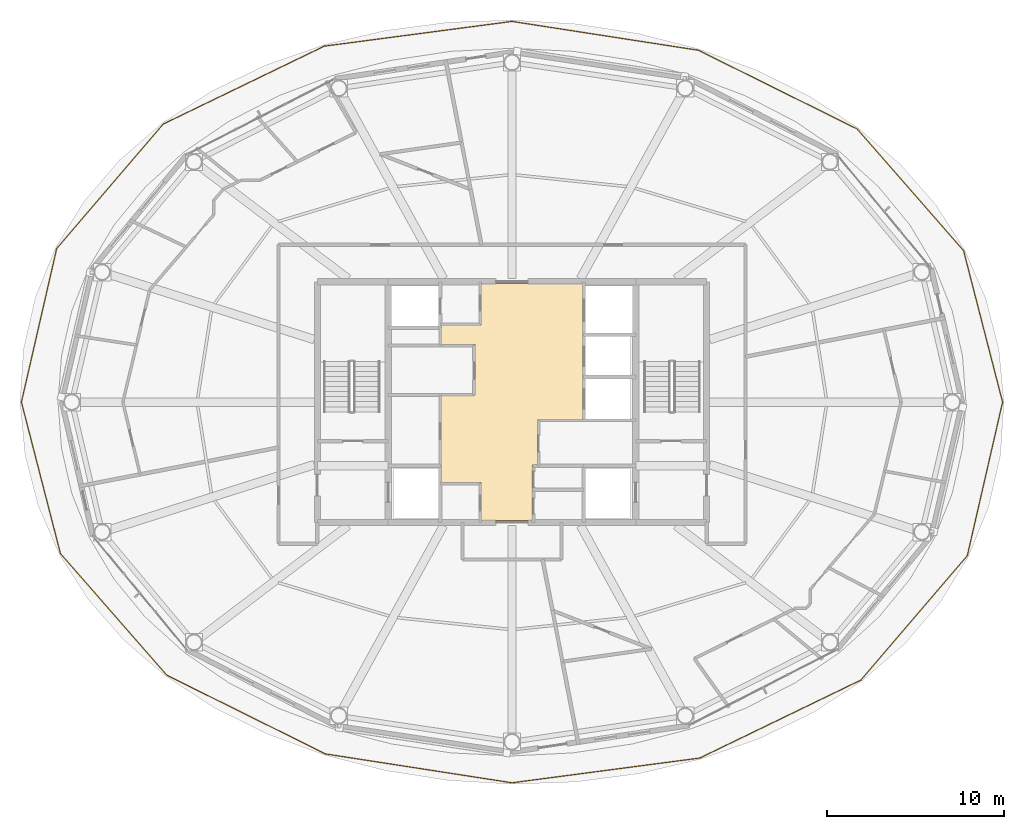
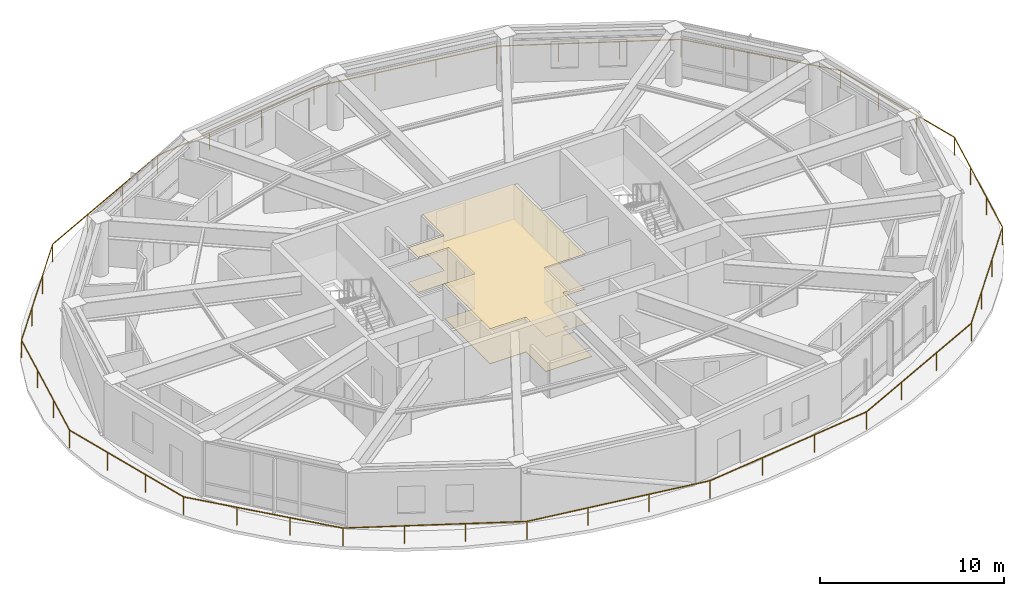
# One storey, part 23 of 24: 2 coverings, 1 railing.
"""IFC4 building model written with IfcOpenShell, lengths in metres."""

from ifc_helpers import new_model, si_unit, direction, frame, origin, origin_2d, place, context, subcontext, project, spatial, polyline, rectangle, outline, extrude, material, layer, layer_set, type_object, element, save


model = new_model("IFC4")

# Units and contexts
model_context = context("Model", 3, precision=1e-05, world=origin(), true_north=direction((0.0, 1.0)))
body_context = subcontext(model_context, "Body", "Model", "MODEL_VIEW")
ifc_project = project(units=[si_unit("LENGTHUNIT", "METRE"), si_unit("AREAUNIT", "SQUARE_METRE"), si_unit("VOLUMEUNIT", "CUBIC_METRE"), si_unit("PLANEANGLEUNIT", "RADIAN"), si_unit("MASSUNIT", "GRAM", prefix="KILO")], contexts=[model_context])

# Site, building, storey
site_placement = place(None, origin())
site = spatial("IfcSite", under=ifc_project, at=site_placement, CompositionType="ELEMENT")
building_placement = place(site_placement, origin())
building = spatial("IfcBuilding", under=site, at=building_placement, Name="Sarneth Arch Tower", CompositionType="ELEMENT")
storey_placement = place(building_placement, frame((0.0, 0.0, 312.60009765625)))
storey = spatial("IfcBuildingStorey", under=building, at=storey_placement, Name="L81", CompositionType="ELEMENT", Elevation=312.60009765625)

# Coverings
ifc_material_1 = material(Name="Perforated acoustic gypsum ceiling board")
ifc_layer_1 = layer(ifc_material_1, 0.02490234375)
ifc_layer_set_1 = layer_set([ifc_layer_1], Name="Perforated acoustic gypsum ceiling board")
covering_type_1 = type_object("IfcCoveringType", Name="COV-CEIL-GYP", PredefinedType="CEILING", material=ifc_layer_set_1)
covering_1_placement = place(storey_placement, frame((0.0, 0.0, 2.309814453125)))
element("IfcCovering", 1, at=covering_1_placement, inside=storey, type_object=covering_type_1, Name="L81 Lift lobby acoustic ceiling", PredefinedType="CEILING", context=body_context, shape_type="SweptSolid", body=[
    extrude(outline(polyline([(49.449951171875, 41.0), (49.449951171875, 38.449951171875), (49.14990234375, 38.449951171875), (49.14990234375, 35.300048828125), (46.25, 35.300048828125), (46.25, 37.449951171875), (44.0, 37.449951171875), (44.0, 42.39990234375), (45.89990234375, 42.39990234375), (45.89990234375, 45.25), (44.0, 45.25), (44.0, 46.35009765625), (46.25, 46.35009765625), (46.25, 48.699951171875), (52.0, 48.699951171875), (52.0, 41.0), (49.449951171875, 41.0)])), origin(), (0.0, 0.0, 1.0), 0.030029296875),
])
ifc_material_2 = material(Name="Honed granite stone flooring", Category="masonry")
ifc_layer_2 = layer(ifc_material_2, 0.030029296875)
ifc_layer_set_2 = layer_set([ifc_layer_2], Name="Honed granite stone flooring")
covering_type_2 = type_object("IfcCoveringType", Name="COV-FLR-STONE", PredefinedType="FLOORING", material=ifc_layer_set_2)
covering_2_placement = place(storey_placement, origin())
element("IfcCovering", 2, at=covering_2_placement, inside=storey, type_object=covering_type_2, Name="L81 Lift lobby granite flooring", PredefinedType="FLOORING", context=body_context, shape_type="SweptSolid", body=[
    extrude(outline(polyline([(49.449951171875, 41.0), (49.449951171875, 38.449951171875), (49.14990234375, 38.449951171875), (49.14990234375, 35.300048828125), (46.25, 35.300048828125), (46.25, 37.449951171875), (44.0, 37.449951171875), (44.0, 42.39990234375), (45.89990234375, 42.39990234375), (45.89990234375, 45.25), (44.0, 45.25), (44.0, 46.35009765625), (46.25, 46.35009765625), (46.25, 48.699951171875), (52.0, 48.699951171875), (52.0, 41.0), (49.449951171875, 41.0)])), origin(), (0.0, 0.0, 1.0), 0.02978515625),
])

# Railing
ifc_material_3 = material(Name="Laminated structural glass infill with Stainless Steel 316 top rail and posts", Category="steel")
railing_type = type_object("IfcRailingType", Name="RAIL-BALC-1200", PredefinedType="BALUSTRADE", material=ifc_material_3)
railing_placement = place(storey_placement, frame((75.7314453125, 42.0, 0.0)))
element("IfcRailing", 3, at=railing_placement, inside=storey, type_object=railing_type, Name="L81 Helical balcony glass balustrade", PredefinedType="BALUSTRADE", context=body_context, shape_type="SweptSolid", body=[
    extrude(rectangle(XDim=0.048095703125, YDim=0.048095703125, at=origin_2d()), frame((0.0, 0.0, 1.17578125), z_axis=(-0.24957661441, 0.968355055514, 0.0), x_axis=(-0.968355055514, -0.24957661441, 0.0)), (0.0, 0.0, 1.0), 8.843994140625),
    extrude(rectangle(XDim=0.048095703125, YDim=0.048095703125, at=origin_2d()), frame((-2.207275390625, 8.564208984375, 1.17578125), z_axis=(-0.658275571809, 0.75277703974, 0.0), x_axis=(-0.75277703974, -0.658275571809, 0.0)), (0.0, 0.0, 1.0), 9.132568359375),
    extrude(rectangle(XDim=0.048095703125, YDim=0.048095703125, at=origin_2d()), frame((-8.218994140625, 15.43896484375, 1.17578125), z_axis=(-0.895918833513, 0.444217788653, 0.0), x_axis=(-0.444217788653, -0.895918833513, 0.0)), (0.0, 0.0, 1.0), 10.015869140625),
    extrude(rectangle(XDim=0.048095703125, YDim=0.048095703125, at=origin_2d()), frame((-17.1923828125, 19.88818359375, 1.17578125), z_axis=(-0.988234470281, 0.152946499628, 0.0), x_axis=(-0.152946499628, -0.988234470281, 0.0)), (0.0, 0.0, 1.0), 10.66455078125),
    extrude(rectangle(XDim=0.048095703125, YDim=0.048095703125, at=origin_2d()), frame((-27.7314453125, 21.519287109375, 1.17578125), z_axis=(-0.99142578043, -0.13067104461, 0.0), x_axis=(0.13067104461, -0.99142578043, 0.0)), (0.0, 0.0, 1.0), 10.703857421875),
    extrude(rectangle(XDim=0.048095703125, YDim=0.048095703125, at=origin_2d()), frame((-38.343505859375, 20.12060546875, 1.17578125), z_axis=(-0.900171764014, -0.435535067786, 0.0), x_axis=(0.435535067786, -0.900171764014, 0.0)), (0.0, 0.0, 1.0), 10.117431640625),
    extrude(rectangle(XDim=0.048095703125, YDim=0.048095703125, at=origin_2d()), frame((-47.450927734375, 15.714111328125, 1.17578125), z_axis=(-0.650202425079, -0.759761019283, 0.0), x_axis=(0.759761019283, -0.650202425079, 0.0)), (0.0, 0.0, 1.0), 9.254638671875),
    extrude(rectangle(XDim=0.048095703125, YDim=0.048095703125, at=origin_2d()), frame((-53.46826171875, 8.682861328125, 1.17578125), z_axis=(-0.223888717006, -0.974614714848, 0.0), x_axis=(0.974614714848, -0.223888717006, 0.0)), (0.0, 0.0, 1.0), 8.908935546875),
    extrude(rectangle(XDim=0.048095703125, YDim=0.048095703125, at=origin_2d()), frame((-55.462890625, 0.0, 1.17578125), z_axis=(0.24957661441, -0.968355055514, 0.0), x_axis=(0.968355055514, 0.24957661441, 0.0)), (0.0, 0.0, 1.0), 8.843994140625),
    extrude(rectangle(XDim=0.048095703125, YDim=0.048095703125, at=origin_2d()), frame((-53.255615234375, -8.564208984375, 1.17578125), z_axis=(0.658275571809, -0.75277703974, 0.0), x_axis=(0.75277703974, 0.658275571809, 0.0)), (0.0, 0.0, 1.0), 9.132568359375),
    extrude(rectangle(XDim=0.048095703125, YDim=0.048095703125, at=origin_2d()), frame((-47.243896484375, -15.43896484375, 1.17578125), z_axis=(0.895918833513, -0.444217788653, 0.0), x_axis=(0.444217788653, 0.895918833513, 0.0)), (0.0, 0.0, 1.0), 10.015869140625),
    extrude(rectangle(XDim=0.048095703125, YDim=0.048095703125, at=origin_2d()), frame((-38.2705078125, -19.88818359375, 1.17578125), z_axis=(0.988234470281, -0.152946499628, 0.0), x_axis=(0.152946499628, 0.988234470281, 0.0)), (0.0, 0.0, 1.0), 10.66455078125),
    extrude(rectangle(XDim=0.048095703125, YDim=0.048095703125, at=origin_2d()), frame((-27.7314453125, -21.519287109375, 1.17578125), z_axis=(0.99142578043, 0.13067104461, 0.0), x_axis=(-0.13067104461, 0.99142578043, 0.0)), (0.0, 0.0, 1.0), 10.703857421875),
    extrude(rectangle(XDim=0.048095703125, YDim=0.048095703125, at=origin_2d()), frame((-17.119384765625, -20.12060546875, 1.17578125), z_axis=(0.900171764014, 0.435535067786, 0.0), x_axis=(-0.435535067786, 0.900171764014, 0.0)), (0.0, 0.0, 1.0), 10.117431640625),
    extrude(rectangle(XDim=0.048095703125, YDim=0.048095703125, at=origin_2d()), frame((-8.011962890625, -15.714111328125, 1.17578125), z_axis=(0.650202425079, 0.759761019283, 0.0), x_axis=(-0.759761019283, 0.650202425079, 0.0)), (0.0, 0.0, 1.0), 9.254638671875),
    extrude(rectangle(XDim=0.048095703125, YDim=0.048095703125, at=origin_2d()), frame((-1.99462890625, -8.682861328125, 1.17578125), z_axis=(0.223888717006, 0.974614714848, 0.0), x_axis=(-0.974614714848, 0.223888717006, 0.0)), (0.0, 0.0, 1.0), 8.908935546875),
    extrude(rectangle(XDim=0.0419921875, YDim=0.0419921875, at=origin_2d()), origin(), (0.0, 0.0, 1.0), 1.15185546875),
    extrude(rectangle(XDim=0.0419921875, YDim=0.0419921875, at=origin_2d()), frame((-0.73583984375, 2.854736328125, 0.0)), (0.0, 0.0, 1.0), 1.15185546875),
    extrude(rectangle(XDim=0.0419921875, YDim=0.0419921875, at=origin_2d()), frame((-1.471435546875, 5.70947265625, 0.0)), (0.0, 0.0, 1.0), 1.15185546875),
    extrude(rectangle(XDim=0.0419921875, YDim=0.0419921875, at=origin_2d()), frame((-2.207275390625, 8.564208984375, 0.0)), (0.0, 0.0, 1.0), 1.15185546875),
    extrude(rectangle(XDim=0.0419921875, YDim=0.0419921875, at=origin_2d()), frame((-4.211181640625, 10.855712890625, 0.0)), (0.0, 0.0, 1.0), 1.15185546875),
    extrude(rectangle(XDim=0.0419921875, YDim=0.0419921875, at=origin_2d()), frame((-6.215087890625, 13.1474609375, 0.0)), (0.0, 0.0, 1.0), 1.15185546875),
    extrude(rectangle(XDim=0.0419921875, YDim=0.0419921875, at=origin_2d()), frame((-8.218994140625, 15.43896484375, 0.0)), (0.0, 0.0, 1.0), 1.15185546875),
    extrude(rectangle(XDim=0.0419921875, YDim=0.0419921875, at=origin_2d()), frame((-11.210205078125, 16.922119140625, 0.0)), (0.0, 0.0, 1.0), 1.15185546875),
    extrude(rectangle(XDim=0.0419921875, YDim=0.0419921875, at=origin_2d()), frame((-14.201171875, 18.405029296875, 0.0)), (0.0, 0.0, 1.0), 1.15185546875),
    extrude(rectangle(XDim=0.0419921875, YDim=0.0419921875, at=origin_2d()), frame((-17.1923828125, 19.88818359375, 0.0)), (0.0, 0.0, 1.0), 1.15185546875),
    extrude(rectangle(XDim=0.0419921875, YDim=0.0419921875, at=origin_2d()), frame((-20.705322265625, 20.431884765625, 0.0)), (0.0, 0.0, 1.0), 1.15185546875),
    extrude(rectangle(XDim=0.0419921875, YDim=0.0419921875, at=origin_2d()), frame((-24.218505859375, 20.9755859375, 0.0)), (0.0, 0.0, 1.0), 1.15185546875),
    extrude(rectangle(XDim=0.0419921875, YDim=0.0419921875, at=origin_2d()), frame((-27.7314453125, 21.519287109375, 0.0)), (0.0, 0.0, 1.0), 1.15185546875),
    extrude(rectangle(XDim=0.0419921875, YDim=0.0419921875, at=origin_2d()), frame((-31.268798828125, 21.052978515625, 0.0)), (0.0, 0.0, 1.0), 1.15185546875),
    extrude(rectangle(XDim=0.0419921875, YDim=0.0419921875, at=origin_2d()), frame((-34.80615234375, 20.5869140625, 0.0)), (0.0, 0.0, 1.0), 1.15185546875),
    extrude(rectangle(XDim=0.0419921875, YDim=0.0419921875, at=origin_2d()), frame((-38.343505859375, 20.12060546875, 0.0)), (0.0, 0.0, 1.0), 1.15185546875),
    extrude(rectangle(XDim=0.0419921875, YDim=0.0419921875, at=origin_2d()), frame((-41.37939453125, 18.65185546875, 0.0)), (0.0, 0.0, 1.0), 1.15185546875),
    extrude(rectangle(XDim=0.0419921875, YDim=0.0419921875, at=origin_2d()), frame((-44.4150390625, 17.182861328125, 0.0)), (0.0, 0.0, 1.0), 1.15185546875),
    extrude(rectangle(XDim=0.0419921875, YDim=0.0419921875, at=origin_2d()), frame((-47.450927734375, 15.714111328125, 0.0)), (0.0, 0.0, 1.0), 1.15185546875),
    extrude(rectangle(XDim=0.0419921875, YDim=0.0419921875, at=origin_2d()), frame((-49.456787109375, 13.370361328125, 0.0)), (0.0, 0.0, 1.0), 1.15185546875),
    extrude(rectangle(XDim=0.0419921875, YDim=0.0419921875, at=origin_2d()), frame((-51.46240234375, 11.026611328125, 0.0)), (0.0, 0.0, 1.0), 1.15185546875),
    extrude(rectangle(XDim=0.0419921875, YDim=0.0419921875, at=origin_2d()), frame((-53.46826171875, 8.682861328125, 0.0)), (0.0, 0.0, 1.0), 1.15185546875),
    extrude(rectangle(XDim=0.0419921875, YDim=0.0419921875, at=origin_2d()), frame((-54.133056640625, 5.78857421875, 0.0)), (0.0, 0.0, 1.0), 1.15185546875),
    extrude(rectangle(XDim=0.0419921875, YDim=0.0419921875, at=origin_2d()), frame((-54.798095703125, 2.894287109375, 0.0)), (0.0, 0.0, 1.0), 1.15185546875),
    extrude(rectangle(XDim=0.0419921875, YDim=0.0419921875, at=origin_2d()), frame((-55.462890625, 0.0, 0.0)), (0.0, 0.0, 1.0), 1.15185546875),
    extrude(rectangle(XDim=0.0419921875, YDim=0.0419921875, at=origin_2d()), frame((-54.72705078125, -2.854736328125, 0.0)), (0.0, 0.0, 1.0), 1.15185546875),
    extrude(rectangle(XDim=0.0419921875, YDim=0.0419921875, at=origin_2d()), frame((-53.991455078125, -5.70947265625, 0.0)), (0.0, 0.0, 1.0), 1.15185546875),
    extrude(rectangle(XDim=0.0419921875, YDim=0.0419921875, at=origin_2d()), frame((-53.255615234375, -8.564208984375, 0.0)), (0.0, 0.0, 1.0), 1.15185546875),
    extrude(rectangle(XDim=0.0419921875, YDim=0.0419921875, at=origin_2d()), frame((-51.251708984375, -10.855712890625, 0.0)), (0.0, 0.0, 1.0), 1.15185546875),
    extrude(rectangle(XDim=0.0419921875, YDim=0.0419921875, at=origin_2d()), frame((-49.247802734375, -13.1474609375, 0.0)), (0.0, 0.0, 1.0), 1.15185546875),
    extrude(rectangle(XDim=0.0419921875, YDim=0.0419921875, at=origin_2d()), frame((-47.243896484375, -15.43896484375, 0.0)), (0.0, 0.0, 1.0), 1.15185546875),
    extrude(rectangle(XDim=0.0419921875, YDim=0.0419921875, at=origin_2d()), frame((-44.252685546875, -16.922119140625, 0.0)), (0.0, 0.0, 1.0), 1.15185546875),
    extrude(rectangle(XDim=0.0419921875, YDim=0.0419921875, at=origin_2d()), frame((-41.26171875, -18.405029296875, 0.0)), (0.0, 0.0, 1.0), 1.15185546875),
    extrude(rectangle(XDim=0.0419921875, YDim=0.0419921875, at=origin_2d()), frame((-38.2705078125, -19.88818359375, 0.0)), (0.0, 0.0, 1.0), 1.15185546875),
    extrude(rectangle(XDim=0.0419921875, YDim=0.0419921875, at=origin_2d()), frame((-34.757568359375, -20.431884765625, 0.0)), (0.0, 0.0, 1.0), 1.15185546875),
    extrude(rectangle(XDim=0.0419921875, YDim=0.0419921875, at=origin_2d()), frame((-31.244384765625, -20.9755859375, 0.0)), (0.0, 0.0, 1.0), 1.15185546875),
    extrude(rectangle(XDim=0.0419921875, YDim=0.0419921875, at=origin_2d()), frame((-27.7314453125, -21.519287109375, 0.0)), (0.0, 0.0, 1.0), 1.15185546875),
    extrude(rectangle(XDim=0.0419921875, YDim=0.0419921875, at=origin_2d()), frame((-24.194091796875, -21.052978515625, 0.0)), (0.0, 0.0, 1.0), 1.15185546875),
    extrude(rectangle(XDim=0.0419921875, YDim=0.0419921875, at=origin_2d()), frame((-20.65673828125, -20.5869140625, 0.0)), (0.0, 0.0, 1.0), 1.15185546875),
    extrude(rectangle(XDim=0.0419921875, YDim=0.0419921875, at=origin_2d()), frame((-17.119384765625, -20.12060546875, 0.0)), (0.0, 0.0, 1.0), 1.15185546875),
    extrude(rectangle(XDim=0.0419921875, YDim=0.0419921875, at=origin_2d()), frame((-14.08349609375, -18.65185546875, 0.0)), (0.0, 0.0, 1.0), 1.15185546875),
    extrude(rectangle(XDim=0.0419921875, YDim=0.0419921875, at=origin_2d()), frame((-11.0478515625, -17.182861328125, 0.0)), (0.0, 0.0, 1.0), 1.15185546875),
    extrude(rectangle(XDim=0.0419921875, YDim=0.0419921875, at=origin_2d()), frame((-8.011962890625, -15.714111328125, 0.0)), (0.0, 0.0, 1.0), 1.15185546875),
    extrude(rectangle(XDim=0.0419921875, YDim=0.0419921875, at=origin_2d()), frame((-6.006103515625, -13.370361328125, 0.0)), (0.0, 0.0, 1.0), 1.15185546875),
    extrude(rectangle(XDim=0.0419921875, YDim=0.0419921875, at=origin_2d()), frame((-4.00048828125, -11.026611328125, 0.0)), (0.0, 0.0, 1.0), 1.15185546875),
    extrude(rectangle(XDim=0.0419921875, YDim=0.0419921875, at=origin_2d()), frame((-1.99462890625, -8.682861328125, 0.0)), (0.0, 0.0, 1.0), 1.15185546875),
    extrude(rectangle(XDim=0.0419921875, YDim=0.0419921875, at=origin_2d()), frame((-1.329833984375, -5.78857421875, 0.0)), (0.0, 0.0, 1.0), 1.15185546875),
    extrude(rectangle(XDim=0.0419921875, YDim=0.0419921875, at=origin_2d()), frame((-0.664794921875, -2.894287109375, 0.0)), (0.0, 0.0, 1.0), 1.15185546875),
])

save(model, "model.ifc")
